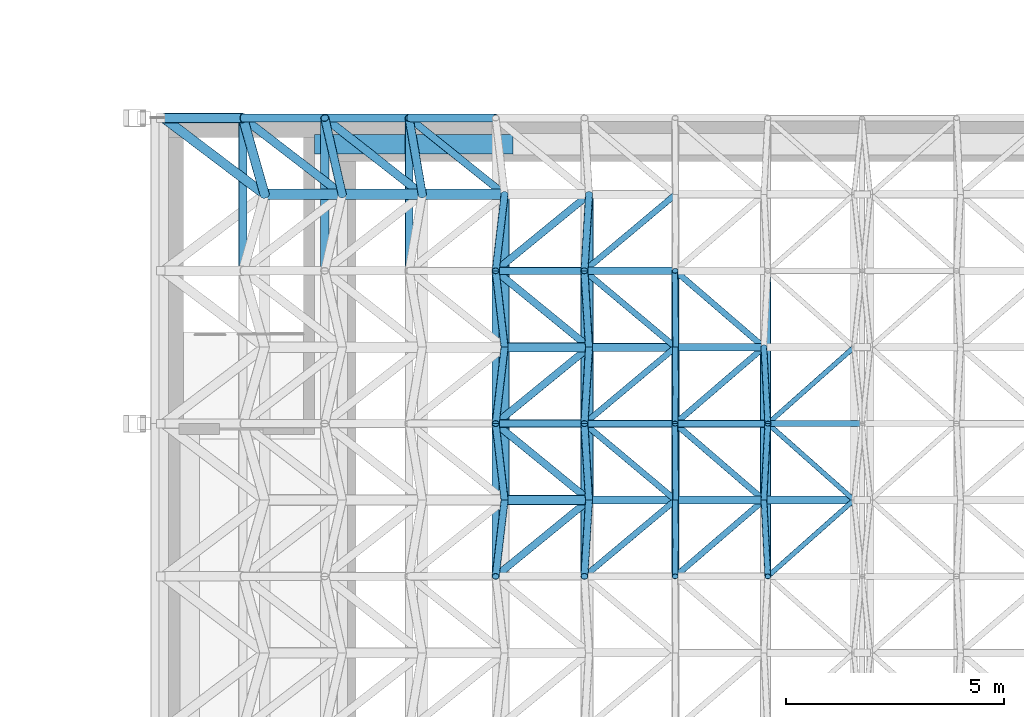
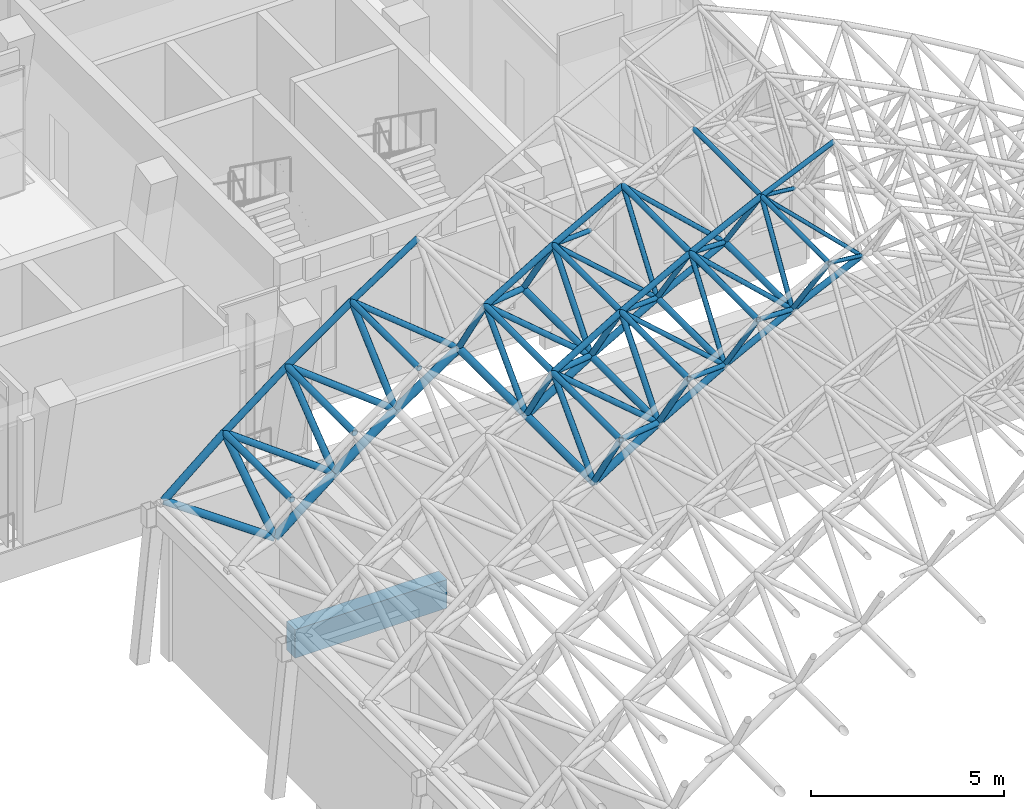
# One storey, part 51 of 141: 78 members, 1 beam.
"""IFC4 building model written with IfcOpenShell, lengths in metres."""

import ifcopenshell
import ifcopenshell.guid

model = None  # the IFC model being written
_history = None  # IfcOwnerHistory: only IFC2X3 demands one
_inside = {}  # id of a spatial element -> (the spatial element, [elements in it])
_under = {}  # id of a project, library or spatial element -> (it, [spatial elements below it])
_declared = {}  # id of a project -> (the project, [libraries it declares])
_typed = {}  # id of a type object -> (the type object, [elements of that type])
_made_of = {}  # id of a material, layer set ... -> (it, [elements and type objects made of it])


def new_model(schema):
    """Start an empty IFC model of exactly this schema.

    Asked for "IFC4X3", IfcOpenShell would pick the latest addendum, in which some entities
    have other attributes; the version numbers below select the first issue.
    IFC2X3 requires an IfcOwnerHistory on every rooted entity: one is made here for all.
    """
    global model, _history
    if schema == "IFC4X3":
        model = ifcopenshell.file(schema_version=(4, 3, 0, 0))
    else:
        model = ifcopenshell.file(schema=schema)
    _inside.clear()
    _under.clear()
    _declared.clear()
    _typed.clear()
    _made_of.clear()
    _history = None
    if model.schema == "IFC2X3":
        org = make("IfcOrganization", Name="unknown")
        user = make(
            "IfcPersonAndOrganization",
            ThePerson=make("IfcPerson", FamilyName="unknown"),
            TheOrganization=org,
        )
        app = make(
            "IfcApplication",
            ApplicationDeveloper=org,
            Version="unknown",
            ApplicationFullName="unknown",
            ApplicationIdentifier="unknown",
        )
        _history = make(
            "IfcOwnerHistory",
            OwningUser=user,
            OwningApplication=app,
            ChangeAction="ADDED",
            CreationDate=0,
        )
    return model


def make(cls, **values):
    """One entity of the class cls with the attributes given. An attribute that is None is left unset."""
    return model.create_entity(
        cls, **{name: value for name, value in values.items() if value is not None}
    )


def rooted(cls, **values):
    """An entity with a GlobalId (a new one), such as an element, a storey or a relation."""
    return make(cls, GlobalId=ifcopenshell.guid.new(), OwnerHistory=_history, **values)


def si_unit(unit_type, name, prefix=None):
    """IfcSIUnit, for example si_unit("LENGTHUNIT", "METRE", prefix="MILLI")."""
    return make("IfcSIUnit", UnitType=unit_type, Prefix=prefix, Name=name)


def assignment(units):
    """IfcUnitAssignment: the units of a project."""
    return None if units is None else make("IfcUnitAssignment", Units=units)


def point(xyz):
    """IfcCartesianPoint."""
    return None if xyz is None else make("IfcCartesianPoint", Coordinates=xyz)


def direction(xyz):
    """IfcDirection."""
    return None if xyz is None else make("IfcDirection", DirectionRatios=xyz)


def frame(location, z_axis=None, x_axis=None):
    """IfcAxis2Placement3D, a coordinate frame: its origin and axes. An axis left out is left unset."""
    return make(
        "IfcAxis2Placement3D",
        Location=point(location),
        Axis=direction(z_axis),
        RefDirection=direction(x_axis),
    )


def frame_2d(location, x_axis=None):
    """IfcAxis2Placement2D, a coordinate frame in the plane: its origin and x axis."""
    return make(
        "IfcAxis2Placement2D", Location=point(location), RefDirection=direction(x_axis)
    )


def origin():
    """The frame at (0, 0, 0) with its axes left unset."""
    return frame((0.0, 0.0, 0.0))


def origin_2d():
    """The frame at (0, 0) in the plane with its x axis left unset."""
    return frame_2d((0.0, 0.0))


def place(relative_to, where):
    """IfcLocalPlacement: puts the frame where relative to a parent placement (None: the world)."""
    return make(
        "IfcLocalPlacement", PlacementRelTo=relative_to, RelativePlacement=where
    )


def context(
    kind, dimensions, precision=None, world=None, true_north=None, identifier=None
):
    """IfcGeometricRepresentationContext, for example the 3D "Model" context."""
    return make(
        "IfcGeometricRepresentationContext",
        ContextIdentifier=identifier,
        ContextType=kind,
        CoordinateSpaceDimension=dimensions,
        Precision=precision,
        WorldCoordinateSystem=world,
        TrueNorth=true_north,
    )


def subcontext(parent, identifier, kind, view, scale=None):
    """IfcGeometricRepresentationSubContext, for example "Body" below "Model"."""
    return make(
        "IfcGeometricRepresentationSubContext",
        ContextIdentifier=identifier,
        ContextType=kind,
        ParentContext=parent,
        TargetScale=scale,
        TargetView=view,
    )


def project(units=None, contexts=None):
    """IfcProject with its units and contexts."""
    return rooted(
        "IfcProject",
        Name="project",
        RepresentationContexts=contexts,
        UnitsInContext=assignment(units),
    )


def spatial(cls, under=None, at=None, **own):
    """A site, building, storey or space (cls), placed at a placement, below another one or the project."""
    s = rooted(cls, ObjectPlacement=at, **own)
    if under is not None:
        _under.setdefault(under.id(), (under, []))[1].append(s)
    return s


def profile(cls, at=None, kind="AREA", **sizes):
    """A parametric profile (cls). Its sizes go by their IFC names, for example OverallWidth=200.0."""
    return make(cls, ProfileType=kind, Position=at, **sizes)


def rectangle(**sizes):
    """IfcRectangleProfileDef."""
    return profile("IfcRectangleProfileDef", **sizes)


def hollow_circle(**sizes):
    """IfcCircleHollowProfileDef."""
    return profile("IfcCircleHollowProfileDef", **sizes)


def extrude(swept, where, along, depth):
    """IfcExtrudedAreaSolid: the profile swept, set in the frame where, extruded along a direction by depth."""
    return make(
        "IfcExtrudedAreaSolid",
        SweptArea=swept,
        Position=where,
        ExtrudedDirection=direction(along),
        Depth=depth,
    )


def shape(context_of_items, identifier, shape_type, items):
    """IfcShapeRepresentation: the items that make up one representation, for example the "Body"."""
    return make(
        "IfcShapeRepresentation",
        ContextOfItems=context_of_items,
        RepresentationIdentifier=identifier,
        RepresentationType=shape_type,
        Items=items,
    )


def material(Name=None, Category=None):
    """IfcMaterial."""
    return make("IfcMaterial", Name=Name, Category=Category)


def material_profile(
    of_material, cross_section, Name=None, Category=None, Priority=None
):
    """IfcMaterialProfile: a cross section and its material."""
    return make(
        "IfcMaterialProfile",
        Name=Name,
        Material=of_material,
        Profile=cross_section,
        Priority=Priority,
        Category=Category,
    )


def profile_set(profiles, Name=None, composite=None):
    """IfcMaterialProfileSet."""
    return make(
        "IfcMaterialProfileSet",
        Name=Name,
        MaterialProfiles=profiles,
        CompositeProfile=composite,
    )


def made_of(thing, what):
    """Note that an element or type object is made of a material, layer set ...; save() writes the relation."""
    if what is not None:
        _made_of.setdefault(what.id(), (what, []))[1].append(thing)
    return thing


def type_object(cls, material=None, **own):
    """A type object (cls), such as IfcWallType, which elements share."""
    return made_of(rooted(cls, **own), material)


def element(
    cls,
    number,
    at=None,
    inside=None,
    cuts=None,
    type_object=None,
    material=None,
    context=None,
    identifier="Body",
    shape_type=None,
    held_by="IfcProductDefinitionShape",
    body=None,
    shapes=None,
    **own,
):
    """One element of the class cls, such as IfcWall. Its Tag is "e" and its number.

    at: its placement. inside: the storey or other place that contains it. cuts: it is an
    opening in that element (IfcRelVoidsElement). A single representation is given by context,
    identifier, shape_type and body (its items); several are given by shapes. held_by: the class
    of the entity that holds the representations. save() writes the other relations.
    """
    e = rooted(cls, Tag="e%d" % number, ObjectPlacement=at, **own)
    if body is not None:
        shapes = [shape(context, identifier, shape_type, body)]
    if shapes is not None:
        e.Representation = make(held_by, Representations=shapes)
    if inside is not None:
        _inside.setdefault(inside.id(), (inside, []))[1].append(e)
    if cuts is not None:
        rooted(
            "IfcRelVoidsElement", RelatingBuildingElement=cuts, RelatedOpeningElement=e
        )
    if type_object is not None:
        _typed.setdefault(type_object.id(), (type_object, []))[1].append(e)
    return made_of(e, material)


def aggregate(whole, parts):
    """IfcRelAggregates: a whole, such as a stair, and the parts it consists of."""
    return rooted("IfcRelAggregates", RelatingObject=whole, RelatedObjects=parts)


def save(model, path):
    """Write the relations noted so far, then the file.

    IfcRelAggregates (storeys below a building ...), IfcRelContainedInSpatialStructure (elements
    in a storey), IfcRelDefinesByType, IfcRelAssociatesMaterial and IfcRelDeclares: one each for
    every whole, place, type object, material and project.
    """
    for whole, parts in _under.values():
        aggregate(whole, parts)
    for where, things in _inside.values():
        rooted(
            "IfcRelContainedInSpatialStructure",
            RelatedElements=things,
            RelatingStructure=where,
        )
    for kind, things in _typed.values():
        rooted("IfcRelDefinesByType", RelatedObjects=things, RelatingType=kind)
    for what, things in _made_of.values():
        rooted("IfcRelAssociatesMaterial", RelatedObjects=things, RelatingMaterial=what)
    for by, libraries in _declared.values():
        rooted("IfcRelDeclares", RelatingContext=by, RelatedDefinitions=libraries)
    model.write(path)


model = new_model("IFC4")

# Units and contexts
model_context = context("Model", 3, precision=1e-05, world=origin(), true_north=direction((0.0, 1.0)))
body_context = subcontext(model_context, "Body", "Model", "MODEL_VIEW")
ifc_project = project(units=[si_unit("LENGTHUNIT", "METRE"), si_unit("AREAUNIT", "SQUARE_METRE"), si_unit("VOLUMEUNIT", "CUBIC_METRE"), si_unit("PLANEANGLEUNIT", "RADIAN"), si_unit("MASSUNIT", "GRAM", prefix="KILO")], contexts=[model_context])

# Site, building, storey
site_placement = place(None, origin())
site = spatial("IfcSite", under=ifc_project, at=site_placement, CompositionType="ELEMENT")
building_placement = place(site_placement, origin())
building = spatial("IfcBuilding", under=site, at=building_placement, Name="Lantern Court Media Centre", CompositionType="ELEMENT")
storey_placement = place(building_placement, frame((0.0, 0.0, 9.60009765625)))
storey = spatial("IfcBuildingStorey", under=building, at=storey_placement, Name="L02", CompositionType="ELEMENT", Elevation=9.60009765625)

# Beam
ifc_material_1 = material(Name="Concrete C35", Category="concrete")
ifc_material_profile_1 = material_profile(ifc_material_1, rectangle(XDim=0.449951171875, YDim=0.89990234375, at=origin_2d()), Name="RC 450x900")
ifc_profile_set_1 = profile_set([ifc_material_profile_1], Name="Concrete C35")
beam_type = type_object("IfcBeamType", Name="RC BEAM 450x900", PredefinedType="BEAM", material=ifc_profile_set_1)
beam_placement = place(storey_placement, frame((75.449951171875, 39.39990234375, -0.4501953125), z_axis=(1.0, 0.0, 0.0), x_axis=(0.0, 1.0, 0.0)))
element("IfcBeam", 1, at=beam_placement, inside=storey, type_object=beam_type, Name="HB-V2-L02-FX6-0", PredefinedType="BEAM", context=body_context, shape_type="SweptSolid", body=[
    extrude(rectangle(XDim=0.449951171875, YDim=0.89990234375, at=origin_2d()), origin(), (0.0, 0.0, 1.0), 4.550048828125),
])

# Members
ifc_material_2 = material(Name="Steel S355J2 (EN 10025-2)", Category="steel")
ifc_material_profile_2 = material_profile(ifc_material_2, hollow_circle(Radius=0.0888671875, WallThickness=0.008056640625, at=origin_2d()), Name="Studio Hall bottom CHS 177.8x8")
ifc_profile_set_2 = profile_set([ifc_material_profile_2], Name="Steel S355J2 (EN 10025-2)")
member_type_1 = type_object("IfcMemberType", Name="Studio Hall bottom CHS 177.8x8", PredefinedType="CHORD", material=ifc_profile_set_2)
for number, where, z_axis, x_axis, name in (
    (2, (83.724365234375, 31.25, 10.2939453125), (0.0, 1.0, 0.0), (-1.0, 0.0, 0.0), "Studio Hall bottom chord 06-10"),
    (3, (85.748291015625, 31.25, 11.3466796875), (0.0, 1.0, 0.0), (-1.0, 0.0, 0.0), "Studio Hall bottom chord 07-10"),
):
    element("IfcMember", number, at=place(storey_placement, frame(where, z_axis=z_axis, x_axis=x_axis)), inside=storey, type_object=member_type_1, Name=name, PredefinedType="CHORD", context=body_context, shape_type="SweptSolid", body=[
        extrude(hollow_circle(Radius=0.0888671875, WallThickness=0.008056640625, at=origin_2d()), origin(), (0.0, 0.0, 1.0), 3.5),
    ])
member_1_placement = place(storey_placement, frame((83.724365234375, 31.25, 10.2939453125), z_axis=(0.887164230848, 0.0, 0.461453819471), x_axis=(0.0, 1.0, 0.0)))
element("IfcMember", 4, at=member_1_placement, inside=storey, type_object=member_type_1, Name="Studio Hall bottom chord 06-10 across", PredefinedType="CHORD", context=body_context, shape_type="SweptSolid", body=[
    extrude(hollow_circle(Radius=0.0888671875, WallThickness=0.008056640625, at=origin_2d()), origin(), (0.0, 0.0, 1.0), 2.28125),
])
member_2_placement = place(storey_placement, frame((85.748291015625, 31.25, 11.3466796875), z_axis=(0.904668285171, 0.0, 0.426116526088), x_axis=(0.0, 1.0, 0.0)))
element("IfcMember", 5, at=member_2_placement, inside=storey, type_object=member_type_1, Name="Studio Hall bottom chord 07-10 across", PredefinedType="CHORD", context=body_context, shape_type="SweptSolid", body=[
    extrude(hollow_circle(Radius=0.0888671875, WallThickness=0.008056640625, at=origin_2d()), origin(), (0.0, 0.0, 1.0), 2.281494140625),
])
member_3_placement = place(storey_placement, frame((83.724365234375, 34.75, 10.2939453125), z_axis=(0.887164230848, 0.0, 0.461453819471), x_axis=(0.0, 1.0, 0.0)))
element("IfcMember", 6, at=member_3_placement, inside=storey, type_object=member_type_1, Name="Studio Hall bottom chord 06-11 across", PredefinedType="CHORD", context=body_context, shape_type="SweptSolid", body=[
    extrude(hollow_circle(Radius=0.0888671875, WallThickness=0.008056640625, at=origin_2d()), origin(), (0.0, 0.0, 1.0), 2.28125),
])
ifc_material_profile_3 = material_profile(ifc_material_2, hollow_circle(Radius=0.096923828125, WallThickness=0.008056640625, at=origin_2d()), Name="Studio Hall bottom CHS 193.7x8")
ifc_profile_set_3 = profile_set([ifc_material_profile_3], Name="Steel S355J2 (EN 10025-2)")
member_type_2 = type_object("IfcMemberType", Name="Studio Hall bottom CHS 193.7x8", PredefinedType="CHORD", material=ifc_profile_set_3)
for number, where, z_axis, x_axis, name in (
    (7, (81.74365234375, 31.25, 9.162109375), (0.0, 1.0, 0.0), (-1.0, 0.0, 0.0), "Studio Hall bottom chord 05-10"),
    (8, (81.74365234375, 34.75, 9.162109375), (0.0, 1.0, 0.0), (-1.0, 0.0, 0.0), "Studio Hall bottom chord 05-11"),
):
    element("IfcMember", number, at=place(storey_placement, frame(where, z_axis=z_axis, x_axis=x_axis)), inside=storey, type_object=member_type_2, Name=name, PredefinedType="CHORD", context=body_context, shape_type="SweptSolid", body=[
        extrude(hollow_circle(Radius=0.096923828125, WallThickness=0.008056640625, at=origin_2d()), origin(), (0.0, 0.0, 1.0), 3.5),
    ])
for number, where, z_axis, x_axis, name in (
    (9, (81.74365234375, 31.25, 9.162109375), (0.868243142124, 0.0, 0.496138938357), (0.0, 1.0, 0.0), "Studio Hall bottom chord 05-10 across"),
    (10, (81.74365234375, 34.75, 9.162109375), (0.868243142124, 0.0, 0.496138938357), (0.0, 1.0, 0.0), "Studio Hall bottom chord 05-11 across"),
):
    element("IfcMember", number, at=place(storey_placement, frame(where, z_axis=z_axis, x_axis=x_axis)), inside=storey, type_object=member_type_2, Name=name, PredefinedType="CHORD", context=body_context, shape_type="SweptSolid", body=[
        extrude(hollow_circle(Radius=0.096923828125, WallThickness=0.008056640625, at=origin_2d()), origin(), (0.0, 0.0, 1.0), 2.28125),
    ])
ifc_material_profile_4 = material_profile(ifc_material_2, hollow_circle(Radius=0.109619140625, WallThickness=0.010009765625, at=origin_2d()), Name="Studio Hall bottom CHS 219.1x10")
ifc_profile_set_4 = profile_set([ifc_material_profile_4], Name="Steel S355J2 (EN 10025-2)")
member_type_3 = type_object("IfcMemberType", Name="Studio Hall bottom CHS 219.1x10", PredefinedType="CHORD", material=ifc_profile_set_4)
for number, where, z_axis, x_axis, name in (
    (11, (79.80908203125, 31.25, 7.953125), (0.0, 1.0, 0.0), (-1.0, 0.0, 0.0), "Studio Hall bottom chord 04-10"),
    (12, (79.80908203125, 34.75, 7.953125), (0.0, 1.0, 0.0), (-1.0, 0.0, 0.0), "Studio Hall bottom chord 04-11"),
):
    element("IfcMember", number, at=place(storey_placement, frame(where, z_axis=z_axis, x_axis=x_axis)), inside=storey, type_object=member_type_3, Name=name, PredefinedType="CHORD", context=body_context, shape_type="SweptSolid", body=[
        extrude(hollow_circle(Radius=0.109619140625, WallThickness=0.010009765625, at=origin_2d()), origin(), (0.0, 0.0, 1.0), 3.5),
    ])
for number, where, z_axis, x_axis, name in (
    (13, (79.80908203125, 31.25, 7.953125), (0.848022352453, 0.0, 0.529960460544), (0.0, 1.0, 0.0), "Studio Hall bottom chord 04-10 across"),
    (14, (79.80908203125, 34.75, 7.953125), (0.848022352453, 0.0, 0.529960460544), (0.0, 1.0, 0.0), "Studio Hall bottom chord 04-11 across"),
):
    element("IfcMember", number, at=place(storey_placement, frame(where, z_axis=z_axis, x_axis=x_axis)), inside=storey, type_object=member_type_3, Name=name, PredefinedType="CHORD", context=body_context, shape_type="SweptSolid", body=[
        extrude(hollow_circle(Radius=0.109619140625, WallThickness=0.010009765625, at=origin_2d()), origin(), (0.0, 0.0, 1.0), 2.28125),
    ])
ifc_material_profile_5 = material_profile(ifc_material_2, hollow_circle(Radius=0.122314453125, WallThickness=0.012451171875, at=origin_2d()), Name="Studio Hall bottom CHS 244.5x12.5")
ifc_profile_set_5 = profile_set([ifc_material_profile_5], Name="Steel S355J2 (EN 10025-2)")
member_type_4 = type_object("IfcMemberType", Name="Studio Hall bottom CHS 244.5x12.5", PredefinedType="CHORD", material=ifc_profile_set_5)
member_4_placement = place(storey_placement, frame((77.923828125, 38.25, 6.66845703125), z_axis=(0.826376743552, 0.0, 0.563117641099), x_axis=(0.0, 1.0, 0.0)))
element("IfcMember", 15, at=member_4_placement, inside=storey, type_object=member_type_4, Name="Studio Hall bottom chord 03-12 across", PredefinedType="CHORD", context=body_context, shape_type="SweptSolid", body=[
    extrude(hollow_circle(Radius=0.122314453125, WallThickness=0.012451171875, at=origin_2d()), origin(), (0.0, 0.0, 1.0), 2.28125),
])
ifc_material_profile_6 = material_profile(ifc_material_2, hollow_circle(Radius=0.122314453125, WallThickness=0.01611328125, at=origin_2d()), Name="Studio Hall bottom CHS 244.5x16")
ifc_profile_set_6 = profile_set([ifc_material_profile_6], Name="Steel S355J2 (EN 10025-2)")
member_type_5 = type_object("IfcMemberType", Name="Studio Hall bottom CHS 244.5x16", PredefinedType="CHORD", material=ifc_profile_set_6)
member_5_placement = place(storey_placement, frame((76.090576171875, 38.25, 5.310546875), z_axis=(0.803568567589, 0.0, 0.59521219509), x_axis=(0.0, 1.0, 0.0)))
element("IfcMember", 16, at=member_5_placement, inside=storey, type_object=member_type_5, Name="Studio Hall bottom chord 02-12 across", PredefinedType="CHORD", context=body_context, shape_type="SweptSolid", body=[
    extrude(hollow_circle(Radius=0.122314453125, WallThickness=0.01611328125, at=origin_2d()), origin(), (0.0, 0.0, 1.0), 2.281494140625),
])
ifc_material_profile_7 = material_profile(ifc_material_2, hollow_circle(Radius=0.122314453125, WallThickness=0.02001953125, at=origin_2d()), Name="Studio Hall bottom CHS 244.5x20")
ifc_profile_set_7 = profile_set([ifc_material_profile_7], Name="Steel S355J2 (EN 10025-2)")
member_type_6 = type_object("IfcMemberType", Name="Studio Hall bottom CHS 244.5x20", PredefinedType="CHORD", material=ifc_profile_set_7)
member_6_placement = place(storey_placement, frame((74.3125, 38.25, 3.881591796875), z_axis=(0.779478138425, 0.0, 0.626429430757), x_axis=(0.0, 1.0, 0.0)))
element("IfcMember", 17, at=member_6_placement, inside=storey, type_object=member_type_6, Name="Studio Hall bottom chord 01-12 across", PredefinedType="CHORD", context=body_context, shape_type="SweptSolid", body=[
    extrude(hollow_circle(Radius=0.122314453125, WallThickness=0.02001953125, at=origin_2d()), origin(), (0.0, 0.0, 1.0), 2.281005859375),
])
ifc_material_profile_8 = material_profile(ifc_material_2, hollow_circle(Radius=0.05712890625, WallThickness=0.0048828125, at=origin_2d()), Name="Studio Hall diagonal CHS 114.3x5")
ifc_profile_set_8 = profile_set([ifc_material_profile_8], Name="Steel S355J2 (EN 10025-2)")
member_type_7 = type_object("IfcMemberType", Name="Studio Hall diagonal CHS 114.3x5", PredefinedType="BRACE", material=ifc_profile_set_8)
for number, where, z_axis, x_axis, name in (
    (18, (87.812255859375, 31.25, 12.31884765625), (-0.64897917405, -0.57530085575, 0.497850335967), (0.663352272412, -0.748307264889, 0.0), "Studio Hall diagonal 08-10-1"),
    (19, (87.812255859375, 31.25, 12.31884765625), (-0.64897917405, 0.57530085575, 0.497850335967), (-0.663352272412, -0.748307264889, 0.0), "Studio Hall diagonal 08-10-4"),
    (20, (87.812255859375, 34.75, 12.31884765625), (-0.64897917405, -0.57530085575, 0.497850335967), (0.663352272412, -0.748307264889, 0.0), "Studio Hall diagonal 08-11-1"),
):
    element("IfcMember", number, at=place(storey_placement, frame(where, z_axis=z_axis, x_axis=x_axis)), inside=storey, type_object=member_type_7, Name=name, PredefinedType="BRACE", context=body_context, shape_type="SweptSolid", body=[
        extrude(hollow_circle(Radius=0.05712890625, WallThickness=0.0048828125, at=origin_2d()), origin(), (0.0, 0.0, 1.0), 3.0419921875),
    ])
ifc_material_profile_9 = material_profile(ifc_material_2, hollow_circle(Radius=0.06982421875, WallThickness=0.00634765625, at=origin_2d()), Name="Studio Hall diagonal CHS 139.7x6.3")
ifc_profile_set_9 = profile_set([ifc_material_profile_9], Name="Steel S355J2 (EN 10025-2)")
member_type_8 = type_object("IfcMemberType", Name="Studio Hall diagonal CHS 139.7x6.3", PredefinedType="BRACE", material=ifc_profile_set_9)
for number, where, z_axis, x_axis, name in (
    (21, (83.724365234375, 31.25, 10.2939453125), (-0.686219606918, -0.575300835367, 0.445119759061), (0.642456097081, -0.76632249303, 0.0), "Studio Hall diagonal 06-10-1"),
    (22, (83.724365234375, 31.25, 10.2939453125), (-0.002728673556, -0.575268589684, 0.817960025957), (0.999988750725, -0.004743250213, 0.0), "Studio Hall diagonal 06-10-2"),
    (23, (83.724365234375, 31.25, 10.2939453125), (-0.002728673556, 0.575268589684, 0.817960025957), (-0.999988750725, -0.004743250213, 0.0), "Studio Hall diagonal 06-10-3"),
    (24, (83.724365234375, 31.25, 10.2939453125), (-0.686219606918, 0.575300835367, 0.445119759061), (-0.642456097081, -0.76632249303, 0.0), "Studio Hall diagonal 06-10-4"),
    (25, (85.748291015625, 31.25, 11.3466796875), (-0.668074997838, -0.575295721349, 0.471922271419), (0.652528943422, -0.757763800927, 0.0), "Studio Hall diagonal 07-10-1"),
    (26, (85.748291015625, 31.25, 11.3466796875), (0.029534674704, -0.575284098581, 0.817420276792), (0.998684738299, 0.051271761118, 0.0), "Studio Hall diagonal 07-10-2"),
    (27, (85.748291015625, 31.25, 11.3466796875), (0.029534674704, 0.575284098581, 0.817420276792), (-0.998684738299, 0.051271761118, 0.0), "Studio Hall diagonal 07-10-3"),
    (28, (85.748291015625, 31.25, 11.3466796875), (-0.668074997838, 0.575295721349, 0.471922271419), (-0.652528943422, -0.757763800927, 0.0), "Studio Hall diagonal 07-10-4"),
    (29, (83.724365234375, 34.75, 10.2939453125), (-0.686219606918, -0.575300835367, 0.445119759061), (0.642456097081, -0.76632249303, 0.0), "Studio Hall diagonal 06-11-1"),
    (30, (83.724365234375, 34.75, 10.2939453125), (-0.002728673556, -0.575268589684, 0.817960025957), (0.999988750725, -0.004743250213, 0.0), "Studio Hall diagonal 06-11-2"),
    (31, (83.724365234375, 34.75, 10.2939453125), (-0.002728673556, 0.575268589684, 0.817960025957), (-0.999988750725, -0.004743250213, 0.0), "Studio Hall diagonal 06-11-3"),
    (32, (83.724365234375, 34.75, 10.2939453125), (-0.686219606918, 0.575300835367, 0.445119759061), (-0.642456097081, -0.76632249303, 0.0), "Studio Hall diagonal 06-11-4"),
    (33, (85.748291015625, 34.75, 11.3466796875), (-0.668074997838, -0.575295721349, 0.471922271419), (0.652528943422, -0.757763800927, 0.0), "Studio Hall diagonal 07-11-1"),
    (34, (85.748291015625, 34.75, 11.3466796875), (0.029534674704, -0.575284098581, 0.817420276792), (0.998684738299, 0.051271761118, 0.0), "Studio Hall diagonal 07-11-2"),
    (35, (85.748291015625, 34.75, 11.3466796875), (-0.668074997838, 0.575295721349, 0.471922271419), (-0.652528943422, -0.757763800927, 0.0), "Studio Hall diagonal 07-11-4"),
    (36, (83.724365234375, 38.25, 10.2939453125), (-0.686219606918, -0.575300835367, 0.445119759061), (0.642456097081, -0.76632249303, 0.0), "Studio Hall diagonal 06-12-1"),
):
    element("IfcMember", number, at=place(storey_placement, frame(where, z_axis=z_axis, x_axis=x_axis)), inside=storey, type_object=member_type_8, Name=name, PredefinedType="BRACE", context=body_context, shape_type="SweptSolid", body=[
        extrude(hollow_circle(Radius=0.06982421875, WallThickness=0.00634765625, at=origin_2d()), origin(), (0.0, 0.0, 1.0), 3.0419921875),
    ])
ifc_material_profile_10 = material_profile(ifc_material_2, hollow_circle(Radius=0.084228515625, WallThickness=0.00634765625, at=origin_2d()), Name="Studio Hall diagonal CHS 168.3x6.3")
ifc_profile_set_10 = profile_set([ifc_material_profile_10], Name="Steel S355J2 (EN 10025-2)")
member_type_9 = type_object("IfcMemberType", Name="Studio Hall diagonal CHS 168.3x6.3", PredefinedType="BRACE", material=ifc_profile_set_10)
for number, where, z_axis, x_axis, name in (
    (37, (81.74365234375, 31.25, 9.162109375), (-0.703225463004, -0.575293325589, 0.417745781207), (0.633189685482, -0.77399665516, 0.0), "Studio Hall diagonal 05-10-1"),
    (38, (81.74365234375, 31.25, 9.162109375), (-0.035073053804, -0.575294392838, 0.817194127773), (0.99814677432, -0.060852419138, 0.0), "Studio Hall diagonal 05-10-2"),
    (39, (81.74365234375, 31.25, 9.162109375), (-0.035073053804, 0.575294392838, 0.817194127773), (-0.99814677432, -0.060852419138, 0.0), "Studio Hall diagonal 05-10-3"),
    (40, (81.74365234375, 31.25, 9.162109375), (-0.703225463004, 0.575293325589, 0.417745781207), (-0.633189685482, -0.77399665516, 0.0), "Studio Hall diagonal 05-10-4"),
    (41, (81.74365234375, 34.75, 9.162109375), (-0.703225463004, -0.575293325589, 0.417745781207), (0.633189685482, -0.77399665516, 0.0), "Studio Hall diagonal 05-11-1"),
    (42, (81.74365234375, 34.75, 9.162109375), (-0.035073053804, -0.575294392838, 0.817194127773), (0.99814677432, -0.060852419138, 0.0), "Studio Hall diagonal 05-11-2"),
    (43, (81.74365234375, 34.75, 9.162109375), (-0.035073053804, 0.575294392838, 0.817194127773), (-0.99814677432, -0.060852419138, 0.0), "Studio Hall diagonal 05-11-3"),
    (44, (81.74365234375, 34.75, 9.162109375), (-0.703225463004, 0.575293325589, 0.417745781207), (-0.633189685482, -0.77399665516, 0.0), "Studio Hall diagonal 05-11-4"),
    (45, (81.74365234375, 38.25, 9.162109375), (-0.703225463004, -0.575293325589, 0.417745781207), (0.633189685482, -0.77399665516, 0.0), "Studio Hall diagonal 05-12-1"),
    (46, (81.74365234375, 38.25, 9.162109375), (-0.035073053804, -0.575294392838, 0.817194127773), (0.99814677432, -0.060852419138, 0.0), "Studio Hall diagonal 05-12-2"),
):
    element("IfcMember", number, at=place(storey_placement, frame(where, z_axis=z_axis, x_axis=x_axis)), inside=storey, type_object=member_type_9, Name=name, PredefinedType="BRACE", context=body_context, shape_type="SweptSolid", body=[
        extrude(hollow_circle(Radius=0.084228515625, WallThickness=0.00634765625, at=origin_2d()), origin(), (0.0, 0.0, 1.0), 3.0419921875),
    ])
ifc_material_profile_11 = material_profile(ifc_material_2, hollow_circle(Radius=0.084228515625, WallThickness=0.008056640625, at=origin_2d()), Name="Studio Hall diagonal CHS 168.3x8")
ifc_profile_set_11 = profile_set([ifc_material_profile_11], Name="Steel S355J2 (EN 10025-2)")
member_type_10 = type_object("IfcMemberType", Name="Studio Hall diagonal CHS 168.3x8", PredefinedType="BRACE", material=ifc_profile_set_11)
for number, where, z_axis, x_axis, name in (
    (47, (79.80908203125, 31.25, 7.953125), (-0.067256187735, -0.575289204878, 0.815180308865), (0.993235466132, -0.116117650756, 0.0), "Studio Hall diagonal 04-10-2"),
    (48, (79.80908203125, 31.25, 7.953125), (-0.067256187735, 0.575289204878, 0.815180308865), (-0.993235466132, -0.116117650756, 0.0), "Studio Hall diagonal 04-10-3"),
    (49, (79.80908203125, 34.75, 7.953125), (-0.067256187735, -0.575289204878, 0.815180308865), (0.993235466132, -0.116117650756, 0.0), "Studio Hall diagonal 04-11-2"),
    (50, (79.80908203125, 34.75, 7.953125), (-0.067256187735, 0.575289204878, 0.815180308865), (-0.993235466132, -0.116117650756, 0.0), "Studio Hall diagonal 04-11-3"),
    (51, (79.80908203125, 38.25, 7.953125), (-0.067256187735, -0.575289204878, 0.815180308865), (0.993235466132, -0.116117650756, 0.0), "Studio Hall diagonal 04-12-2"),
    (52, (79.80908203125, 38.25, 7.953125), (-0.719205791884, 0.57530042587, 0.38957983638), (-0.624652537065, -0.780902815937, 0.0), "Studio Hall diagonal 04-12-4"),
):
    element("IfcMember", number, at=place(storey_placement, frame(where, z_axis=z_axis, x_axis=x_axis)), inside=storey, type_object=member_type_10, Name=name, PredefinedType="BRACE", context=body_context, shape_type="SweptSolid", body=[
        extrude(hollow_circle(Radius=0.084228515625, WallThickness=0.008056640625, at=origin_2d()), origin(), (0.0, 0.0, 1.0), 3.0419921875),
    ])
ifc_material_profile_12 = material_profile(ifc_material_2, hollow_circle(Radius=0.096923828125, WallThickness=0.010009765625, at=origin_2d()), Name="Studio Hall diagonal CHS 193.7x10")
ifc_profile_set_12 = profile_set([ifc_material_profile_12], Name="Steel S355J2 (EN 10025-2)")
member_type_11 = type_object("IfcMemberType", Name="Studio Hall diagonal CHS 193.7x10", PredefinedType="BRACE", material=ifc_profile_set_12)
for number, where, z_axis, x_axis, name in (
    (53, (76.090576171875, 38.25, 5.310546875), (-0.13137534314, 0.575258680284, 0.807352444706), (-0.97489985117, -0.222643841569, 0.0), "Studio Hall diagonal 02-12-3"),
    (54, (76.090576171875, 38.25, 5.310546875), (-0.747676961141, 0.575284291269, 0.331703400644), (-0.609809429153, -0.792548080634, 0.0), "Studio Hall diagonal 02-12-4"),
):
    element("IfcMember", number, at=place(storey_placement, frame(where, z_axis=z_axis, x_axis=x_axis)), inside=storey, type_object=member_type_11, Name=name, PredefinedType="BRACE", context=body_context, shape_type="SweptSolid", body=[
        extrude(hollow_circle(Radius=0.096923828125, WallThickness=0.010009765625, at=origin_2d()), origin(), (0.0, 0.0, 1.0), 3.0419921875),
    ])
ifc_material_profile_13 = material_profile(ifc_material_2, hollow_circle(Radius=0.096923828125, WallThickness=0.008056640625, at=origin_2d()), Name="Studio Hall diagonal CHS 193.7x8")
ifc_profile_set_13 = profile_set([ifc_material_profile_13], Name="Steel S355J2 (EN 10025-2)")
member_type_12 = type_object("IfcMemberType", Name="Studio Hall diagonal CHS 193.7x8", PredefinedType="BRACE", material=ifc_profile_set_13)
for number, where, z_axis, x_axis, name in (
    (55, (77.923828125, 38.25, 6.66845703125), (-0.099439098635, 0.575286084759, 0.811885328323), (-0.985387799185, -0.170325820758, 0.0), "Studio Hall diagonal 03-12-3"),
    (56, (77.923828125, 38.25, 6.66845703125), (-0.734005385991, 0.57526247614, 0.360983624118), (-0.616855729008, -0.787076241282, 0.0), "Studio Hall diagonal 03-12-4"),
):
    element("IfcMember", number, at=place(storey_placement, frame(where, z_axis=z_axis, x_axis=x_axis)), inside=storey, type_object=member_type_12, Name=name, PredefinedType="BRACE", context=body_context, shape_type="SweptSolid", body=[
        extrude(hollow_circle(Radius=0.096923828125, WallThickness=0.008056640625, at=origin_2d()), origin(), (0.0, 0.0, 1.0), 3.0419921875),
    ])
ifc_material_profile_14 = material_profile(ifc_material_2, hollow_circle(Radius=0.109619140625, WallThickness=0.010009765625, at=origin_2d()), Name="Studio Hall diagonal CHS 219.1x10")
ifc_profile_set_14 = profile_set([ifc_material_profile_14], Name="Steel S355J2 (EN 10025-2)")
member_type_13 = type_object("IfcMemberType", Name="Studio Hall diagonal CHS 219.1x10", PredefinedType="BRACE", material=ifc_profile_set_14)
member_7_placement = place(storey_placement, frame((74.3125, 38.25, 3.881591796875), z_axis=(-0.163171626005, 0.575314419679, 0.801491321835), x_axis=(-0.962053941871, -0.2728593281, 0.0)))
element("IfcMember", 57, at=member_7_placement, inside=storey, type_object=member_type_13, Name="Studio Hall diagonal 01-12-3", PredefinedType="BRACE", context=body_context, shape_type="SweptSolid", body=[
    extrude(hollow_circle(Radius=0.109619140625, WallThickness=0.010009765625, at=origin_2d()), origin(), (0.0, 0.0, 1.0), 3.041748046875),
])
member_8_placement = place(storey_placement, frame((74.3125, 38.25, 3.881591796875), z_axis=(-0.760210907984, 0.575294741177, 0.301853169862), x_axis=(-0.603442670186, -0.797406385602, 0.0)))
element("IfcMember", 58, at=member_8_placement, inside=storey, type_object=member_type_13, Name="Studio Hall diagonal 01-12-4", PredefinedType="BRACE", context=body_context, shape_type="SweptSolid", body=[
    extrude(hollow_circle(Radius=0.109619140625, WallThickness=0.010009765625, at=origin_2d()), origin(), (0.0, 0.0, 1.0), 3.0419921875),
])
ifc_material_profile_15 = material_profile(ifc_material_2, hollow_circle(Radius=0.06982421875, WallThickness=0.00634765625, at=origin_2d()), Name="Studio Hall top CHS 139.7x6.3")
ifc_profile_set_15 = profile_set([ifc_material_profile_15], Name="Steel S355J2 (EN 10025-2)")
member_type_14 = type_object("IfcMemberType", Name="Studio Hall top CHS 139.7x6.3", PredefinedType="CHORD", material=ifc_profile_set_15)
for number, where, z_axis, x_axis, name in (
    (59, (85.838134765625, 29.5, 13.833251953125), (0.0, 1.0, 0.0), (-1.0, 0.0, 0.0), "Studio Hall top chord 08-10"),
    (60, (85.838134765625, 33.0, 13.833251953125), (0.0, 1.0, 0.0), (-1.0, 0.0, 0.0), "Studio Hall top chord 08-11"),
):
    element("IfcMember", number, at=place(storey_placement, frame(where, z_axis=z_axis, x_axis=x_axis)), inside=storey, type_object=member_type_14, Name=name, PredefinedType="CHORD", context=body_context, shape_type="SweptSolid", body=[
        extrude(hollow_circle(Radius=0.06982421875, WallThickness=0.00634765625, at=origin_2d()), origin(), (0.0, 0.0, 1.0), 3.5),
    ])
member_9_placement = place(storey_placement, frame((85.838134765625, 33.0, 13.833251953125), z_axis=(0.912912280931, 0.0, 0.408155812559), x_axis=(0.0, 1.0, 0.0)))
element("IfcMember", 61, at=member_9_placement, inside=storey, type_object=member_type_14, Name="Studio Hall top chord 08-11 across", PredefinedType="CHORD", context=body_context, shape_type="SweptSolid", body=[
    extrude(hollow_circle(Radius=0.06982421875, WallThickness=0.00634765625, at=origin_2d()), origin(), (0.0, 0.0, 1.0), 2.3681640625),
])
ifc_material_profile_16 = material_profile(ifc_material_2, hollow_circle(Radius=0.084228515625, WallThickness=0.00634765625, at=origin_2d()), Name="Studio Hall top CHS 168.3x6.3")
ifc_profile_set_16 = profile_set([ifc_material_profile_16], Name="Steel S355J2 (EN 10025-2)")
member_type_15 = type_object("IfcMemberType", Name="Studio Hall top CHS 168.3x6.3", PredefinedType="CHORD", material=ifc_profile_set_16)
for number, where, z_axis, x_axis, name in (
    (62, (81.636962890625, 29.5, 11.64794921875), (0.0, 1.0, 0.0), (-1.0, 0.0, 0.0), "Studio Hall top chord 06-10"),
    (63, (83.716064453125, 29.5, 12.7822265625), (0.0, 1.0, 0.0), (-1.0, 0.0, 0.0), "Studio Hall top chord 07-10"),
    (64, (81.636962890625, 33.0, 11.64794921875), (0.0, 1.0, 0.0), (-1.0, 0.0, 0.0), "Studio Hall top chord 06-11"),
    (65, (83.716064453125, 33.0, 12.7822265625), (0.0, 1.0, 0.0), (-1.0, 0.0, 0.0), "Studio Hall top chord 07-11"),
):
    element("IfcMember", number, at=place(storey_placement, frame(where, z_axis=z_axis, x_axis=x_axis)), inside=storey, type_object=member_type_15, Name=name, PredefinedType="CHORD", context=body_context, shape_type="SweptSolid", body=[
        extrude(hollow_circle(Radius=0.084228515625, WallThickness=0.00634765625, at=origin_2d()), origin(), (0.0, 0.0, 1.0), 3.5),
    ])
member_10_placement = place(storey_placement, frame((81.636962890625, 33.0, 11.64794921875), z_axis=(0.877856175106, 0.0, 0.478924352929), x_axis=(0.0, 1.0, 0.0)))
element("IfcMember", 66, at=member_10_placement, inside=storey, type_object=member_type_15, Name="Studio Hall top chord 06-11 across", PredefinedType="CHORD", context=body_context, shape_type="SweptSolid", body=[
    extrude(hollow_circle(Radius=0.084228515625, WallThickness=0.00634765625, at=origin_2d()), origin(), (0.0, 0.0, 1.0), 2.368408203125),
])
member_11_placement = place(storey_placement, frame((83.716064453125, 33.0, 12.7822265625), z_axis=(0.89611157523, 0.0, 0.443828846222), x_axis=(0.0, 1.0, 0.0)))
element("IfcMember", 67, at=member_11_placement, inside=storey, type_object=member_type_15, Name="Studio Hall top chord 07-11 across", PredefinedType="CHORD", context=body_context, shape_type="SweptSolid", body=[
    extrude(hollow_circle(Radius=0.084228515625, WallThickness=0.00634765625, at=origin_2d()), origin(), (0.0, 0.0, 1.0), 2.3681640625),
])
member_12_placement = place(storey_placement, frame((81.636962890625, 36.5, 11.64794921875), z_axis=(0.877856175106, 0.0, 0.478924352929), x_axis=(0.0, 1.0, 0.0)))
element("IfcMember", 68, at=member_12_placement, inside=storey, type_object=member_type_15, Name="Studio Hall top chord 06-12 across", PredefinedType="CHORD", context=body_context, shape_type="SweptSolid", body=[
    extrude(hollow_circle(Radius=0.084228515625, WallThickness=0.00634765625, at=origin_2d()), origin(), (0.0, 0.0, 1.0), 2.368408203125),
])
ifc_material_profile_17 = material_profile(ifc_material_2, hollow_circle(Radius=0.0888671875, WallThickness=0.010009765625, at=origin_2d()), Name="Studio Hall top CHS 177.8x10")
ifc_profile_set_17 = profile_set([ifc_material_profile_17], Name="Steel S355J2 (EN 10025-2)")
member_type_16 = type_object("IfcMemberType", Name="Studio Hall top CHS 177.8x10", PredefinedType="CHORD", material=ifc_profile_set_17)
member_13_placement = place(storey_placement, frame((77.621337890625, 36.5, 9.13818359375), z_axis=(0.0, 1.0, 0.0), x_axis=(-1.0, 0.0, 0.0)))
element("IfcMember", 69, at=member_13_placement, inside=storey, type_object=member_type_16, Name="Studio Hall top chord 04-12", PredefinedType="CHORD", context=body_context, shape_type="SweptSolid", body=[
    extrude(hollow_circle(Radius=0.0888671875, WallThickness=0.010009765625, at=origin_2d()), origin(), (0.0, 0.0, 1.0), 3.5),
])
member_14_placement = place(storey_placement, frame((77.621337890625, 40.0, 9.13818359375), z_axis=(0.837356212506, 0.0, 0.546657638178), x_axis=(0.0, 1.0, 0.0)))
element("IfcMember", 70, at=member_14_placement, inside=storey, type_object=member_type_16, Name="Studio Hall top chord 04-13 across", PredefinedType="CHORD", context=body_context, shape_type="SweptSolid", body=[
    extrude(hollow_circle(Radius=0.0888671875, WallThickness=0.010009765625, at=origin_2d()), origin(), (0.0, 0.0, 1.0), 2.368408203125),
])
ifc_material_profile_18 = material_profile(ifc_material_2, hollow_circle(Radius=0.0888671875, WallThickness=0.008056640625, at=origin_2d()), Name="Studio Hall top CHS 177.8x8")
ifc_profile_set_18 = profile_set([ifc_material_profile_18], Name="Steel S355J2 (EN 10025-2)")
member_type_17 = type_object("IfcMemberType", Name="Studio Hall top CHS 177.8x8", PredefinedType="CHORD", material=ifc_profile_set_18)
for number, where, z_axis, x_axis, name in (
    (71, (79.6044921875, 29.5, 10.432861328125), (0.0, 1.0, 0.0), (-1.0, 0.0, 0.0), "Studio Hall top chord 05-10"),
    (72, (79.6044921875, 33.0, 10.432861328125), (0.0, 1.0, 0.0), (-1.0, 0.0, 0.0), "Studio Hall top chord 05-11"),
):
    element("IfcMember", number, at=place(storey_placement, frame(where, z_axis=z_axis, x_axis=x_axis)), inside=storey, type_object=member_type_17, Name=name, PredefinedType="CHORD", context=body_context, shape_type="SweptSolid", body=[
        extrude(hollow_circle(Radius=0.0888671875, WallThickness=0.008056640625, at=origin_2d()), origin(), (0.0, 0.0, 1.0), 3.5),
    ])
for number, where, z_axis, x_axis, name in (
    (73, (79.6044921875, 33.0, 10.432861328125), (0.858310578199, 0.0, 0.513130540264), (0.0, 1.0, 0.0), "Studio Hall top chord 05-11 across"),
    (74, (79.6044921875, 36.5, 10.432861328125), (0.858310578199, 0.0, 0.513130540264), (0.0, 1.0, 0.0), "Studio Hall top chord 05-12 across"),
):
    element("IfcMember", number, at=place(storey_placement, frame(where, z_axis=z_axis, x_axis=x_axis)), inside=storey, type_object=member_type_17, Name=name, PredefinedType="CHORD", context=body_context, shape_type="SweptSolid", body=[
        extrude(hollow_circle(Radius=0.0888671875, WallThickness=0.008056640625, at=origin_2d()), origin(), (0.0, 0.0, 1.0), 2.367919921875),
    ])
ifc_material_profile_19 = material_profile(ifc_material_2, hollow_circle(Radius=0.096923828125, WallThickness=0.010009765625, at=origin_2d()), Name="Studio Hall top CHS 193.7x10")
ifc_profile_set_19 = profile_set([ifc_material_profile_19], Name="Steel S355J2 (EN 10025-2)")
member_type_18 = type_object("IfcMemberType", Name="Studio Hall top CHS 193.7x10", PredefinedType="CHORD", material=ifc_profile_set_19)
member_15_placement = place(storey_placement, frame((75.69091796875, 36.5, 7.7666015625), z_axis=(0.0, 1.0, 0.0), x_axis=(-1.0, 0.0, 0.0)))
element("IfcMember", 75, at=member_15_placement, inside=storey, type_object=member_type_18, Name="Studio Hall top chord 03-12", PredefinedType="CHORD", context=body_context, shape_type="SweptSolid", body=[
    extrude(hollow_circle(Radius=0.096923828125, WallThickness=0.010009765625, at=origin_2d()), origin(), (0.0, 0.0, 1.0), 3.5),
])
member_16_placement = place(storey_placement, frame((75.69091796875, 40.0, 7.7666015625), z_axis=(0.815186813221, 0.0, 0.579198117703), x_axis=(0.0, 1.0, 0.0)))
element("IfcMember", 76, at=member_16_placement, inside=storey, type_object=member_type_18, Name="Studio Hall top chord 03-13 across", PredefinedType="CHORD", context=body_context, shape_type="SweptSolid", body=[
    extrude(hollow_circle(Radius=0.096923828125, WallThickness=0.010009765625, at=origin_2d()), origin(), (0.0, 0.0, 1.0), 2.3681640625),
])
ifc_material_profile_20 = material_profile(ifc_material_2, hollow_circle(Radius=0.096923828125, WallThickness=0.012451171875, at=origin_2d()), Name="Studio Hall top CHS 193.7x12.5")
ifc_profile_set_20 = profile_set([ifc_material_profile_20], Name="Steel S355J2 (EN 10025-2)")
member_type_19 = type_object("IfcMemberType", Name="Studio Hall top CHS 193.7x12.5", PredefinedType="CHORD", material=ifc_profile_set_20)
member_17_placement = place(storey_placement, frame((73.816162109375, 36.5, 6.319580078125), z_axis=(0.0, 1.0, 0.0), x_axis=(-1.0, 0.0, 0.0)))
element("IfcMember", 77, at=member_17_placement, inside=storey, type_object=member_type_19, Name="Studio Hall top chord 02-12", PredefinedType="CHORD", context=body_context, shape_type="SweptSolid", body=[
    extrude(hollow_circle(Radius=0.096923828125, WallThickness=0.012451171875, at=origin_2d()), origin(), (0.0, 0.0, 1.0), 3.5),
])
member_18_placement = place(storey_placement, frame((73.816162109375, 40.0, 6.319580078125), z_axis=(0.791622688111, 0.0, 0.611010245141), x_axis=(0.0, 1.0, 0.0)))
element("IfcMember", 78, at=member_18_placement, inside=storey, type_object=member_type_19, Name="Studio Hall top chord 02-13 across", PredefinedType="CHORD", context=body_context, shape_type="SweptSolid", body=[
    extrude(hollow_circle(Radius=0.096923828125, WallThickness=0.012451171875, at=origin_2d()), origin(), (0.0, 0.0, 1.0), 2.3681640625),
])
ifc_material_profile_21 = material_profile(ifc_material_2, hollow_circle(Radius=0.109619140625, WallThickness=0.012451171875, at=origin_2d()), Name="Studio Hall top CHS 219.1x12.5")
ifc_profile_set_21 = profile_set([ifc_material_profile_21], Name="Steel S355J2 (EN 10025-2)")
member_type_20 = type_object("IfcMemberType", Name="Studio Hall top CHS 219.1x12.5", PredefinedType="CHORD", material=ifc_profile_set_21)
member_19_placement = place(storey_placement, frame((72.0, 40.0, 4.7998046875), z_axis=(0.766909881815, 0.0, 0.641754807675), x_axis=(0.0, 1.0, 0.0)))
element("IfcMember", 79, at=member_19_placement, inside=storey, type_object=member_type_20, Name="Studio Hall top chord 01-13 across", PredefinedType="CHORD", context=body_context, shape_type="SweptSolid", body=[
    extrude(hollow_circle(Radius=0.109619140625, WallThickness=0.012451171875, at=origin_2d()), origin(), (0.0, 0.0, 1.0), 2.3681640625),
])

save(model, "model.ifc")
